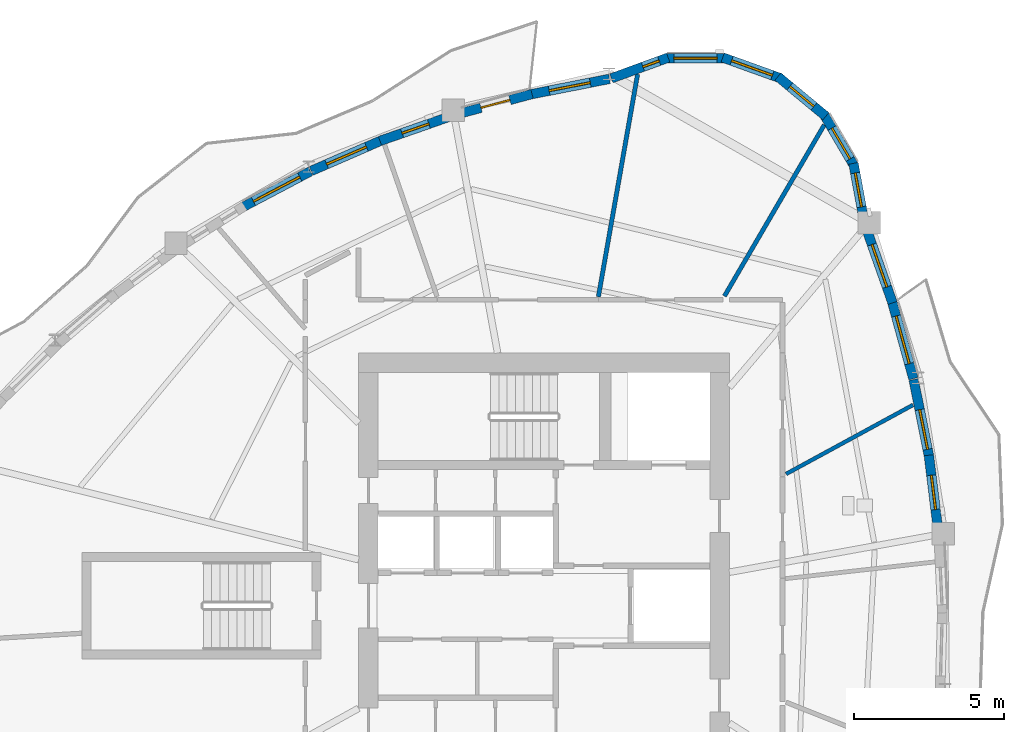
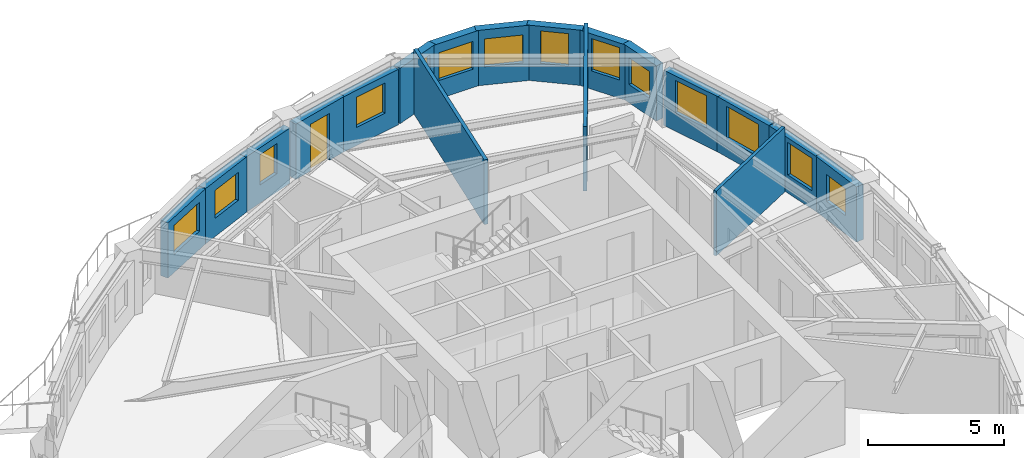
# One storey, part 7 of 12: 18 walls, 14 windows, 1 door, 15 openings.
"""IFC4 building model written with IfcOpenShell, lengths in metres."""

from ifc_helpers import new_model, si_unit, direction, frame, frame_2d, origin, place, context, subcontext, project, spatial, rectangle, extrude, source, transform, mapped, material, layer, layer_set, type_object, element, fill, save


model = new_model("IFC4")

# Units and contexts
model_context = context("Model", 3, precision=1e-05, world=origin(), true_north=direction((0.0, 1.0)))
body_context = subcontext(model_context, "Body", "Model", "MODEL_VIEW")
ifc_project = project(units=[si_unit("LENGTHUNIT", "METRE"), si_unit("AREAUNIT", "SQUARE_METRE"), si_unit("VOLUMEUNIT", "CUBIC_METRE"), si_unit("PLANEANGLEUNIT", "RADIAN"), si_unit("MASSUNIT", "GRAM", prefix="KILO")], contexts=[model_context])

# Site, building, storey
site_placement = place(None, origin())
site = spatial("IfcSite", under=ifc_project, at=site_placement, CompositionType="ELEMENT")
building_placement = place(site_placement, origin())
building = spatial("IfcBuilding", under=site, at=building_placement, Name="Qafzar Sky-Pleat Residences", CompositionType="ELEMENT")
storey_placement = place(building_placement, frame((0.0, 0.0, 187.39990234375)))
storey = spatial("IfcBuildingStorey", under=building, at=storey_placement, Name="L56", CompositionType="ELEMENT", Elevation=187.39990234375)

# Walls
ifc_material_1 = material(Name="Acoustic gypsum plasterboard partition", Category="gypsum")
ifc_layer_1 = layer(ifc_material_1, 0.14501953125)
ifc_layer_set_1 = layer_set([ifc_layer_1], Name="Acoustic gypsum plasterboard partition")
wall_type_1 = type_object("IfcWallType", Name="PART-UNIT-145", PredefinedType="PARTITIONING", material=ifc_layer_set_1)
wall_1_placement = place(storey_placement, frame((32.169677734375, 36.33056640625, 0.0), z_axis=(0.0, 0.0, 1.0), x_axis=(0.173479457804, 0.984837487975, 0.0)))
element("IfcWall", 1, at=wall_1_placement, inside=storey, type_object=wall_type_1, Name="L56 Partition Wall PART-L56-PW-013", PredefinedType="PARTITIONING", context=body_context, shape_type="SweptSolid", body=[
    extrude(rectangle(XDim=7.55859375, YDim=0.14501953125, at=frame_2d((3.779296875, 0.0))), origin(), (0.0, 0.0, 1.0), 2.900146484375),
])
wall_2_placement = place(storey_placement, frame((36.385986328125, 36.353515625, 0.0), z_axis=(0.0, 0.0, 1.0), x_axis=(0.503662452742, 0.863900534609, 0.0)))
element("IfcWall", 2, at=wall_2_placement, inside=storey, type_object=wall_type_1, Name="L56 Partition Wall PART-L56-PW-016", PredefinedType="PARTITIONING", context=body_context, shape_type="SweptSolid", body=[
    extrude(rectangle(XDim=6.623291015625, YDim=0.14501953125, at=frame_2d((3.3115234375, 0.0))), origin(), (0.0, 0.0, 1.0), 2.900146484375),
])
ifc_material_2 = material(Name="Moisture-resistant gypsum partition", Category="gypsum")
ifc_layer_2 = layer(ifc_material_2, 0.1298828125)
ifc_layer_set_2 = layer_set([ifc_layer_2], Name="Moisture-resistant gypsum partition")
wall_type_2 = type_object("IfcWallType", Name="PART-WET-130", PredefinedType="PARTITIONING", material=ifc_layer_set_2)
wall_3_placement = place(storey_placement, frame((38.447998046875, 30.4052734375, 0.0), z_axis=(0.0, 0.0, 1.0), x_axis=(0.878447426807, 0.477839008805, 0.0)))
element("IfcWall", 3, at=wall_3_placement, inside=storey, type_object=wall_type_2, Name="L56 Partition Wall PART-L56-PW-020", PredefinedType="PARTITIONING", context=body_context, shape_type="SweptSolid", body=[
    extrude(rectangle(XDim=4.830322265625, YDim=0.1298828125, at=frame_2d((2.4150390625, 0.0))), origin(), (0.0, 0.0, 1.0), 2.900146484375),
])

# Wall, opening, window
ifc_material_3 = material(Name="Precast concrete C40/50 with honed Riyadh limestone", Category="concrete")
ifc_layer_3 = layer(ifc_material_3, 0.320068359375)
ifc_layer_set_3 = layer_set([ifc_layer_3], Name="Precast concrete C40/50 with honed Riyadh limestone")
wall_type_3 = type_object("IfcWallType", Name="WALL-EXT-320", PredefinedType="SOLIDWALL", material=ifc_layer_set_3)
wall_4_placement = place(storey_placement, frame((43.5283203125, 28.554443359375, 0.0), z_axis=(0.0, 0.0, 1.0), x_axis=(-0.122939257513, 0.99241419728, 0.0)))
wall_4 = element("IfcWall", 4, at=wall_4_placement, inside=storey, type_object=wall_type_3, Name="L56 Limestone Facade Wall 29", PredefinedType="SOLIDWALL", context=body_context, shape_type="SweptSolid", body=[
    extrude(rectangle(XDim=2.496337890625, YDim=0.320068359375, at=frame_2d((1.248046875, 0.0))), origin(), (0.0, 0.0, 1.0), 2.47998046875),
])
opening_1_placement = place(wall_4_placement, frame((0.668212890625, 0.0, 0.820068359375)))
opening_1 = element("IfcOpeningElement", 5, at=opening_1_placement, cuts=wall_4, Name="Opening WN-16", PredefinedType="OPENING", context=body_context, shape_type="SweptSolid", body=[
    extrude(rectangle(XDim=1.14990234375, YDim=1.199951171875, at=frame_2d((0.574951171875, 0.60009765625))), frame((0.0, 0.169921875, 0.0), z_axis=(0.0, -1.0, 0.0), x_axis=(1.0, 0.0, 0.0)), (0.0, 0.0, 1.0), 0.340087890625),
])
ifc_material_4 = material(Name="Solar-control low-E glass in bronze aluminium frame", Category="glass")
window_type_1 = type_object("IfcWindowType", Name="WIN-16", PartitioningType="SINGLE_PANEL", PredefinedType="WINDOW", material=ifc_material_4)
shared_shape_1 = source(origin(), body_context, "Body", "SweptSolid", [
    extrude(rectangle(XDim=1.14990234375, YDim=1.199951171875, at=frame_2d((0.574951171875, 0.60009765625))), frame((0.0, 0.030029296875, 0.0), z_axis=(0.0, -1.0, 0.0), x_axis=(1.0, 0.0, 0.0)), (0.0, 0.0, 1.0), 0.06005859375),
])
window_1_placement = place(opening_1_placement, origin())
window_1 = element("IfcWindow", 6, at=window_1_placement, inside=storey, type_object=window_type_1, Name="L56 Punched Facade Window 29", OverallHeight=1.199951171875, OverallWidth=1.14990234375, PartitioningType="SINGLE_PANEL", PredefinedType="WINDOW", context=body_context, shape_type="MappedRepresentation", body=[
    mapped(shared_shape_1, transform((0.0, 0.0, 0.0), x_axis=(1.0, 0.0, 0.0), y_axis=(0.0, 1.0, 0.0), z_axis=(0.0, 0.0, 1.0), scale=1.0)),
])
fill(opening_1, window_1)

wall_5_placement = place(storey_placement, frame((43.235595703125, 30.945068359375, 0.0), z_axis=(0.0, 0.0, 1.0), x_axis=(-0.196221587905, 0.98055957924, 0.0)))
wall_5 = element("IfcWall", 7, at=wall_5_placement, inside=storey, type_object=wall_type_3, Name="L56 Limestone Facade Wall 30", PredefinedType="SOLIDWALL", context=body_context, shape_type="SweptSolid", body=[
    extrude(rectangle(XDim=2.67138671875, YDim=0.320068359375, at=frame_2d((1.335693359375, 0.0))), origin(), (0.0, 0.0, 1.0), 2.47998046875),
])
opening_2_placement = place(wall_5_placement, frame((0.291259765625, 0.0, 0.820068359375)))
opening_2 = element("IfcOpeningElement", 8, at=opening_2_placement, cuts=wall_5, Name="Opening WN-04", PredefinedType="OPENING", context=body_context, shape_type="SweptSolid", body=[
    extrude(rectangle(XDim=1.35009765625, YDim=1.449951171875, at=frame_2d((0.675048828125, 0.72509765625))), frame((0.0, 0.169921875, 0.0), z_axis=(0.0, -1.0, 0.0), x_axis=(1.0, 0.0, 0.0)), (0.0, 0.0, 1.0), 0.340087890625),
])
window_type_2 = type_object("IfcWindowType", Name="WIN-04", PartitioningType="SINGLE_PANEL", PredefinedType="WINDOW", material=ifc_material_4)
shared_shape_2 = source(origin(), body_context, "Body", "SweptSolid", [
    extrude(rectangle(XDim=1.35009765625, YDim=1.449951171875, at=frame_2d((0.675048828125, 0.72509765625))), frame((0.0, 0.030029296875, 0.0), z_axis=(0.0, -1.0, 0.0), x_axis=(1.0, 0.0, 0.0)), (0.0, 0.0, 1.0), 0.06005859375),
])
window_2_placement = place(opening_2_placement, origin())
window_2 = element("IfcWindow", 9, at=window_2_placement, inside=storey, type_object=window_type_2, Name="L56 Punched Facade Window 30", OverallHeight=1.449951171875, OverallWidth=1.35009765625, PartitioningType="SINGLE_PANEL", PredefinedType="WINDOW", context=body_context, shape_type="MappedRepresentation", body=[
    mapped(shared_shape_2, transform((0.0, 0.0, 0.0), x_axis=(1.0, 0.0, 0.0), y_axis=(0.0, 1.0, 0.0), z_axis=(0.0, 0.0, 1.0), scale=1.0)),
])
fill(opening_2, window_2)

wall_6_placement = place(storey_placement, frame((42.704833984375, 33.592041015625, 0.0), z_axis=(0.0, 0.0, 1.0), x_axis=(-0.266433209731, 0.963853383432, 0.0)))
wall_6 = element("IfcWall", 10, at=wall_6_placement, inside=storey, type_object=wall_type_3, Name="L56 Limestone Facade Wall 31", PredefinedType="SOLIDWALL", context=body_context, shape_type="SweptSolid", body=[
    extrude(rectangle(XDim=2.715087890625, YDim=0.320068359375, at=frame_2d((1.357421875, 0.0))), origin(), (0.0, 0.0, 1.0), 2.47998046875),
])
opening_3_placement = place(wall_6_placement, frame((0.5224609375, 0.0, 0.820068359375)))
opening_3 = element("IfcOpeningElement", 11, at=opening_3_placement, cuts=wall_6, Name="Opening WN-02", PredefinedType="OPENING", context=body_context, shape_type="SweptSolid", body=[
    extrude(rectangle(XDim=1.64990234375, YDim=1.449951171875, at=frame_2d((0.824951171875, 0.72509765625))), frame((0.0, 0.169921875, 0.0), z_axis=(0.0, -1.0, 0.0), x_axis=(1.0, 0.0, 0.0)), (0.0, 0.0, 1.0), 0.340087890625),
])
window_type_3 = type_object("IfcWindowType", Name="WIN-02", PartitioningType="DOUBLE_PANEL_VERTICAL", PredefinedType="WINDOW", material=ifc_material_4)
shared_shape_3 = source(origin(), body_context, "Body", "SweptSolid", [
    extrude(rectangle(XDim=1.64990234375, YDim=1.449951171875, at=frame_2d((0.824951171875, 0.72509765625))), frame((0.0, 0.030029296875, 0.0), z_axis=(0.0, -1.0, 0.0), x_axis=(1.0, 0.0, 0.0)), (0.0, 0.0, 1.0), 0.06005859375),
])
window_3_placement = place(opening_3_placement, origin())
window_3 = element("IfcWindow", 12, at=window_3_placement, inside=storey, type_object=window_type_3, Name="L56 Punched Facade Window 31", OverallHeight=1.449951171875, OverallWidth=1.64990234375, PartitioningType="SINGLE_PANEL", PredefinedType="WINDOW", context=body_context, shape_type="MappedRepresentation", body=[
    mapped(shared_shape_3, transform((0.0, 0.0, 0.0), x_axis=(1.0, 0.0, 0.0), y_axis=(0.0, 1.0, 0.0), z_axis=(0.0, 0.0, 1.0), scale=1.0)),
])
fill(opening_3, window_3)

wall_7_placement = place(storey_placement, frame((42.007568359375, 36.125732421875, 0.0), z_axis=(0.0, 0.0, 1.0), x_axis=(-0.332790959239, 0.94300062431, 0.0)))
wall_7 = element("IfcWall", 13, at=wall_7_placement, inside=storey, type_object=wall_type_3, Name="L56 Limestone Facade Wall 32", PredefinedType="SOLIDWALL", context=body_context, shape_type="SweptSolid", body=[
    extrude(rectangle(XDim=2.6279296875, YDim=0.320068359375, at=frame_2d((1.31396484375, 0.0))), origin(), (0.0, 0.0, 1.0), 2.47998046875),
])
opening_4_placement = place(wall_7_placement, frame((0.56884765625, 0.0, 0.820068359375)))
opening_4 = element("IfcOpeningElement", 14, at=opening_4_placement, cuts=wall_7, Name="Opening WN-03", PredefinedType="OPENING", context=body_context, shape_type="SweptSolid", body=[
    extrude(rectangle(XDim=1.5, YDim=1.449951171875, at=frame_2d((0.75, 0.72509765625))), frame((0.0, 0.169921875, 0.0), z_axis=(0.0, -1.0, 0.0), x_axis=(1.0, 0.0, 0.0)), (0.0, 0.0, 1.0), 0.340087890625),
])
window_type_4 = type_object("IfcWindowType", Name="WIN-03", PartitioningType="DOUBLE_PANEL_VERTICAL", PredefinedType="WINDOW", material=ifc_material_4)
shared_shape_4 = source(origin(), body_context, "Body", "SweptSolid", [
    extrude(rectangle(XDim=1.5, YDim=1.449951171875, at=frame_2d((0.75, 0.72509765625))), frame((0.0, 0.030029296875, 0.0), z_axis=(0.0, -1.0, 0.0), x_axis=(1.0, 0.0, 0.0)), (0.0, 0.0, 1.0), 0.06005859375),
])
window_4_placement = place(opening_4_placement, origin())
window_4 = element("IfcWindow", 15, at=window_4_placement, inside=storey, type_object=window_type_4, Name="L56 Punched Facade Window 32", OverallHeight=1.449951171875, OverallWidth=1.5, PartitioningType="SINGLE_PANEL", PredefinedType="WINDOW", context=body_context, shape_type="MappedRepresentation", body=[
    mapped(shared_shape_4, transform((0.0, 0.0, 0.0), x_axis=(1.0, 0.0, 0.0), y_axis=(0.0, 1.0, 0.0), z_axis=(0.0, 0.0, 1.0), scale=1.0)),
])
fill(opening_4, window_4)

wall_8_placement = place(storey_placement, frame((41.041748046875, 38.945556640625, 0.0), z_axis=(0.0, 0.0, 1.0), x_axis=(-0.182373191939, 0.983229382627, 0.0)))
wall_8 = element("IfcWall", 16, at=wall_8_placement, inside=storey, type_object=wall_type_3, Name="L56 Limestone Facade Wall 33", PredefinedType="SOLIDWALL", context=body_context, shape_type="SweptSolid", body=[
    extrude(rectangle(XDim=1.878173828125, YDim=0.320068359375, at=frame_2d((0.93896484375, 0.0))), origin(), (0.0, 0.0, 1.0), 2.47998046875),
])
opening_5_placement = place(wall_8_placement, frame((0.39892578125, 0.0, 0.820068359375)))
opening_5 = element("IfcOpeningElement", 17, at=opening_5_placement, cuts=wall_8, Name="Opening WN-16", PredefinedType="OPENING", context=body_context, shape_type="SweptSolid", body=[
    extrude(rectangle(XDim=1.14990234375, YDim=1.199951171875, at=frame_2d((0.574951171875, 0.60009765625))), frame((0.0, 0.169921875, 0.0), z_axis=(0.0, -1.0, 0.0), x_axis=(1.0, 0.0, 0.0)), (0.0, 0.0, 1.0), 0.340087890625),
])
window_5_placement = place(opening_5_placement, origin())
window_5 = element("IfcWindow", 18, at=window_5_placement, inside=storey, type_object=window_type_1, Name="L56 Punched Facade Window 33", OverallHeight=1.199951171875, OverallWidth=1.14990234375, PartitioningType="SINGLE_PANEL", PredefinedType="WINDOW", context=body_context, shape_type="MappedRepresentation", body=[
    mapped(shared_shape_1, transform((0.0, 0.0, 0.0), x_axis=(1.0, 0.0, 0.0), y_axis=(0.0, 1.0, 0.0), z_axis=(0.0, 0.0, 1.0), scale=1.0)),
])
fill(opening_5, window_5)

wall_9_placement = place(storey_placement, frame((40.74462890625, 40.670166015625, 0.0), z_axis=(0.0, 0.0, 1.0), x_axis=(-0.506312473438, 0.86235009088, 0.0)))
wall_9 = element("IfcWall", 19, at=wall_9_placement, inside=storey, type_object=wall_type_3, Name="L56 Limestone Facade Wall 34", PredefinedType="SOLIDWALL", context=body_context, shape_type="SweptSolid", body=[
    extrude(rectangle(XDim=2.0810546875, YDim=0.320068359375, at=frame_2d((1.04052734375, 0.0))), origin(), (0.0, 0.0, 1.0), 2.47998046875),
])
opening_6_placement = place(wall_9_placement, frame((0.310546875, 0.0, 0.820068359375)))
opening_6 = element("IfcOpeningElement", 20, at=opening_6_placement, cuts=wall_9, Name="Opening WN-05", PredefinedType="OPENING", context=body_context, shape_type="SweptSolid", body=[
    extrude(rectangle(XDim=1.199951171875, YDim=1.449951171875, at=frame_2d((0.60009765625, 0.72509765625))), frame((0.0, 0.169921875, 0.0), z_axis=(0.0, -1.0, 0.0), x_axis=(1.0, 0.0, 0.0)), (0.0, 0.0, 1.0), 0.340087890625),
])
window_type_5 = type_object("IfcWindowType", Name="WIN-05", PartitioningType="SINGLE_PANEL", PredefinedType="WINDOW", material=ifc_material_4)
shared_shape_5 = source(origin(), body_context, "Body", "SweptSolid", [
    extrude(rectangle(XDim=1.199951171875, YDim=1.449951171875, at=frame_2d((0.60009765625, 0.72509765625))), frame((0.0, 0.030029296875, 0.0), z_axis=(0.0, -1.0, 0.0), x_axis=(1.0, 0.0, 0.0)), (0.0, 0.0, 1.0), 0.06005859375),
])
window_6_placement = place(opening_6_placement, origin())
window_6 = element("IfcWindow", 21, at=window_6_placement, inside=storey, type_object=window_type_5, Name="L56 Punched Facade Window 34", OverallHeight=1.449951171875, OverallWidth=1.199951171875, PartitioningType="SINGLE_PANEL", PredefinedType="WINDOW", context=body_context, shape_type="MappedRepresentation", body=[
    mapped(shared_shape_5, transform((0.0, 0.0, 0.0), x_axis=(1.0, 0.0, 0.0), y_axis=(0.0, 1.0, 0.0), z_axis=(0.0, 0.0, 1.0), scale=1.0)),
])
fill(opening_6, window_6)

wall_10_placement = place(storey_placement, frame((39.775390625, 42.36572265625, 0.0), z_axis=(0.0, 0.0, 1.0), x_axis=(-0.769690471148, 0.63841724493, 0.0)))
wall_10 = element("IfcWall", 22, at=wall_10_placement, inside=storey, type_object=wall_type_3, Name="L56 Limestone Facade Wall 35", PredefinedType="SOLIDWALL", context=body_context, shape_type="SweptSolid", body=[
    extrude(rectangle(XDim=2.0810546875, YDim=0.320068359375, at=frame_2d((1.04052734375, 0.0))), origin(), (0.0, 0.0, 1.0), 2.47998046875),
])
opening_7_placement = place(wall_10_placement, frame((0.515625, 0.0, 0.820068359375)))
opening_7 = element("IfcOpeningElement", 23, at=opening_7_placement, cuts=wall_10, Name="Opening WN-06", PredefinedType="OPENING", context=body_context, shape_type="SweptSolid", body=[
    extrude(rectangle(XDim=1.050048828125, YDim=1.449951171875, at=frame_2d((0.52490234375, 0.72509765625))), frame((0.0, 0.169921875, 0.0), z_axis=(0.0, -1.0, 0.0), x_axis=(1.0, 0.0, 0.0)), (0.0, 0.0, 1.0), 0.340087890625),
])
window_type_6 = type_object("IfcWindowType", Name="WIN-06", PartitioningType="SINGLE_PANEL", PredefinedType="WINDOW", material=ifc_material_4)
shared_shape_6 = source(origin(), body_context, "Body", "SweptSolid", [
    extrude(rectangle(XDim=1.050048828125, YDim=1.449951171875, at=frame_2d((0.52490234375, 0.72509765625))), frame((0.0, 0.030029296875, 0.0), z_axis=(0.0, -1.0, 0.0), x_axis=(1.0, 0.0, 0.0)), (0.0, 0.0, 1.0), 0.06005859375),
])
window_7_placement = place(opening_7_placement, origin())
window_7 = element("IfcWindow", 24, at=window_7_placement, inside=storey, type_object=window_type_6, Name="L56 Punched Facade Window 35", OverallHeight=1.449951171875, OverallWidth=1.050048828125, PartitioningType="SINGLE_PANEL", PredefinedType="WINDOW", context=body_context, shape_type="MappedRepresentation", body=[
    mapped(shared_shape_6, transform((0.0, 0.0, 0.0), x_axis=(1.0, 0.0, 0.0), y_axis=(0.0, 1.0, 0.0), z_axis=(0.0, 0.0, 1.0), scale=1.0)),
])
fill(opening_7, window_7)

wall_11_placement = place(storey_placement, frame((38.28662109375, 43.6298828125, 0.0), z_axis=(0.0, 0.0, 1.0), x_axis=(-0.941108549294, 0.338104567323, 0.0)))
wall_11 = element("IfcWall", 25, at=wall_11_placement, inside=storey, type_object=wall_type_3, Name="L56 Limestone Facade Wall 36", PredefinedType="SOLIDWALL", context=body_context, shape_type="SweptSolid", body=[
    extrude(rectangle(XDim=2.0810546875, YDim=0.320068359375, at=frame_2d((1.04052734375, 0.0))), origin(), (0.0, 0.0, 1.0), 2.47998046875),
])
opening_8_placement = place(wall_11_placement, frame((0.3154296875, 0.0, 0.820068359375)))
opening_8 = element("IfcOpeningElement", 26, at=opening_8_placement, cuts=wall_11, Name="Opening WN-15", PredefinedType="OPENING", context=body_context, shape_type="SweptSolid", body=[
    extrude(rectangle(XDim=1.449951171875, YDim=1.25, at=frame_2d((0.72509765625, 0.625))), frame((0.0, 0.169921875, 0.0), z_axis=(0.0, -1.0, 0.0), x_axis=(1.0, 0.0, 0.0)), (0.0, 0.0, 1.0), 0.340087890625),
])
window_type_7 = type_object("IfcWindowType", Name="WIN-15", PartitioningType="SINGLE_PANEL", PredefinedType="WINDOW", material=ifc_material_4)
shared_shape_7 = source(origin(), body_context, "Body", "SweptSolid", [
    extrude(rectangle(XDim=1.449951171875, YDim=1.25, at=frame_2d((0.72509765625, 0.625))), frame((0.0, 0.030029296875, 0.0), z_axis=(0.0, -1.0, 0.0), x_axis=(1.0, 0.0, 0.0)), (0.0, 0.0, 1.0), 0.06005859375),
])
window_8_placement = place(opening_8_placement, origin())
window_8 = element("IfcWindow", 27, at=window_8_placement, inside=storey, type_object=window_type_7, Name="L56 Punched Facade Window 36", OverallHeight=1.25, OverallWidth=1.449951171875, PartitioningType="SINGLE_PANEL", PredefinedType="WINDOW", context=body_context, shape_type="MappedRepresentation", body=[
    mapped(shared_shape_7, transform((0.0, 0.0, 0.0), x_axis=(1.0, 0.0, 0.0), y_axis=(0.0, 1.0, 0.0), z_axis=(0.0, 0.0, 1.0), scale=1.0)),
])
fill(opening_8, window_8)

wall_12_placement = place(storey_placement, frame((36.456298828125, 44.311279296875, 0.0), z_axis=(0.0, 0.0, 1.0), x_axis=(-0.999997246765, -0.002346585115, 0.0)))
wall_12 = element("IfcWall", 28, at=wall_12_placement, inside=storey, type_object=wall_type_3, Name="L56 Limestone Facade Wall 37", PredefinedType="SOLIDWALL", context=body_context, shape_type="SweptSolid", body=[
    extrude(rectangle(XDim=2.080810546875, YDim=0.320068359375, at=frame_2d((1.04052734375, 0.0))), origin(), (0.0, 0.0, 1.0), 2.47998046875),
])
opening_9_placement = place(wall_12_placement, frame((0.3154296875, 0.0, 0.820068359375)))
opening_9 = element("IfcOpeningElement", 29, at=opening_9_placement, cuts=wall_12, Name="Opening WN-15", PredefinedType="OPENING", context=body_context, shape_type="SweptSolid", body=[
    extrude(rectangle(XDim=1.449951171875, YDim=1.25, at=frame_2d((0.72509765625, 0.625))), frame((0.0, 0.169921875, 0.0), z_axis=(0.0, -1.0, 0.0), x_axis=(1.0, 0.0, 0.0)), (0.0, 0.0, 1.0), 0.340087890625),
])
window_9_placement = place(opening_9_placement, origin())
window_9 = element("IfcWindow", 30, at=window_9_placement, inside=storey, type_object=window_type_7, Name="L56 Punched Facade Window 37", OverallHeight=1.25, OverallWidth=1.449951171875, PartitioningType="SINGLE_PANEL", PredefinedType="WINDOW", context=body_context, shape_type="MappedRepresentation", body=[
    mapped(shared_shape_7, transform((0.0, 0.0, 0.0), x_axis=(1.0, 0.0, 0.0), y_axis=(0.0, 1.0, 0.0), z_axis=(0.0, 0.0, 1.0), scale=1.0)),
])
fill(opening_9, window_9)

wall_13_placement = place(storey_placement, frame((34.50341796875, 44.3291015625, 0.0), z_axis=(0.0, 0.0, 1.0), x_axis=(-0.939387553708, -0.342857148007, 0.0)))
wall_13 = element("IfcWall", 31, at=wall_13_placement, inside=storey, type_object=wall_type_3, Name="L56 Limestone Facade Wall 38", PredefinedType="SOLIDWALL", context=body_context, shape_type="SweptSolid", body=[
    extrude(rectangle(XDim=2.02294921875, YDim=0.320068359375, at=frame_2d((1.011474609375, 0.0))), origin(), (0.0, 0.0, 1.0), 2.47998046875),
])
opening_10_placement = place(wall_13_placement, frame((0.3193359375, 0.0, 0.820068359375)))
opening_10 = element("IfcOpeningElement", 32, at=opening_10_placement, cuts=wall_13, Name="Opening WN-17", PredefinedType="OPENING", context=body_context, shape_type="SweptSolid", body=[
    extrude(rectangle(XDim=0.580078125, YDim=1.35009765625, at=frame_2d((0.2900390625, 0.675048828125))), frame((0.0, 0.169921875, 0.0), z_axis=(0.0, -1.0, 0.0), x_axis=(1.0, 0.0, 0.0)), (0.0, 0.0, 1.0), 0.340087890625),
])
window_type_8 = type_object("IfcWindowType", Name="WIN-17", PartitioningType="SINGLE_PANEL", PredefinedType="WINDOW", material=ifc_material_4)
shared_shape_8 = source(origin(), body_context, "Body", "SweptSolid", [
    extrude(rectangle(XDim=0.580078125, YDim=1.35009765625, at=frame_2d((0.2900390625, 0.675048828125))), frame((0.0, 0.030029296875, 0.0), z_axis=(0.0, -1.0, 0.0), x_axis=(1.0, 0.0, 0.0)), (0.0, 0.0, 1.0), 0.06005859375),
])
window_10_placement = place(opening_10_placement, origin())
window_10 = element("IfcWindow", 33, at=window_10_placement, inside=storey, type_object=window_type_8, Name="L56 Punched Facade Window 38", OverallHeight=1.35009765625, OverallWidth=0.580078125, PartitioningType="SINGLE_PANEL", PredefinedType="WINDOW", context=body_context, shape_type="MappedRepresentation", body=[
    mapped(shared_shape_8, transform((0.0, 0.0, 0.0), x_axis=(1.0, 0.0, 0.0), y_axis=(0.0, 1.0, 0.0), z_axis=(0.0, 0.0, 1.0), scale=1.0)),
])
fill(opening_10, window_10)

wall_14_placement = place(storey_placement, frame((32.54052734375, 43.6181640625, 0.0), z_axis=(0.0, 0.0, 1.0), x_axis=(-0.981233088351, -0.192825377804, 0.0)))
wall_14 = element("IfcWall", 34, at=wall_14_placement, inside=storey, type_object=wall_type_3, Name="L56 Limestone Facade Wall 39", PredefinedType="SOLIDWALL", context=body_context, shape_type="SweptSolid", body=[
    extrude(rectangle(XDim=2.72607421875, YDim=0.320068359375, at=frame_2d((1.363037109375, 0.0))), origin(), (0.0, 0.0, 1.0), 2.47998046875),
])
opening_11_placement = place(wall_14_placement, frame((0.653076171875, 0.0, 0.820068359375)))
opening_11 = element("IfcOpeningElement", 35, at=opening_11_placement, cuts=wall_14, Name="Opening WN-10", PredefinedType="OPENING", context=body_context, shape_type="SweptSolid", body=[
    extrude(rectangle(XDim=1.39990234375, YDim=1.35009765625, at=frame_2d((0.699951171875, 0.675048828125))), frame((0.0, 0.169921875, 0.0), z_axis=(0.0, -1.0, 0.0), x_axis=(1.0, 0.0, 0.0)), (0.0, 0.0, 1.0), 0.340087890625),
])
window_type_9 = type_object("IfcWindowType", Name="WIN-10", PartitioningType="SINGLE_PANEL", PredefinedType="WINDOW", material=ifc_material_4)
shared_shape_9 = source(origin(), body_context, "Body", "SweptSolid", [
    extrude(rectangle(XDim=1.39990234375, YDim=1.35009765625, at=frame_2d((0.699951171875, 0.675048828125))), frame((0.0, 0.030029296875, 0.0), z_axis=(0.0, -1.0, 0.0), x_axis=(1.0, 0.0, 0.0)), (0.0, 0.0, 1.0), 0.06005859375),
])
window_11_placement = place(opening_11_placement, origin())
window_11 = element("IfcWindow", 36, at=window_11_placement, inside=storey, type_object=window_type_9, Name="L56 Punched Facade Window 39", OverallHeight=1.35009765625, OverallWidth=1.39990234375, PartitioningType="SINGLE_PANEL", PredefinedType="WINDOW", context=body_context, shape_type="MappedRepresentation", body=[
    mapped(shared_shape_9, transform((0.0, 0.0, 0.0), x_axis=(1.0, 0.0, 0.0), y_axis=(0.0, 1.0, 0.0), z_axis=(0.0, 0.0, 1.0), scale=1.0)),
])
fill(opening_11, window_11)

# Wall, opening, door
wall_15_placement = place(storey_placement, frame((29.950439453125, 43.1123046875, 0.0), z_axis=(0.0, 0.0, 1.0), x_axis=(-0.96543906005, -0.260628895806, 0.0)))
wall_15 = element("IfcWall", 37, at=wall_15_placement, inside=storey, type_object=wall_type_3, Name="L56 Limestone Facade Wall 40", PredefinedType="SOLIDWALL", context=body_context, shape_type="SweptSolid", body=[
    extrude(rectangle(XDim=2.5244140625, YDim=0.320068359375, at=frame_2d((1.26220703125, 0.0))), origin(), (0.0, 0.0, 1.0), 2.47998046875),
])
opening_12_placement = place(wall_15_placement, frame((0.767333984375, 0.0, 0.0)))
opening_12 = element("IfcOpeningElement", 38, at=opening_12_placement, cuts=wall_15, Name="Opening ED-05", PredefinedType="OPENING", context=body_context, shape_type="SweptSolid", body=[
    extrude(rectangle(XDim=1.0, YDim=2.10009765625, at=frame_2d((0.5, 1.050048828125))), frame((0.0, 0.169921875, 0.0), z_axis=(0.0, -1.0, 0.0), x_axis=(1.0, 0.0, 0.0)), (0.0, 0.0, 1.0), 0.340087890625),
])
ifc_material_5 = material(Name="Glazed bronze aluminium door", Category="aluminium")
door_type = type_object("IfcDoorType", Name="DR-BAL-1000", OperationType="NOTDEFINED", PredefinedType="DOOR", material=ifc_material_5)
shared_shape_10 = source(origin(), body_context, "Body", "SweptSolid", [
    extrude(rectangle(XDim=1.0, YDim=2.10009765625, at=frame_2d((0.5, 1.050048828125))), frame((0.0, 0.02490234375, 0.0), z_axis=(0.0, -1.0, 0.0), x_axis=(1.0, 0.0, 0.0)), (0.0, 0.0, 1.0), 0.050048828125),
])
door_placement = place(opening_12_placement, origin())
door = element("IfcDoor", 39, at=door_placement, inside=storey, type_object=door_type, Name="L56 Glazed Balcony Door 2", OperationType="SINGLE_SWING_LEFT", OverallHeight=2.10009765625, OverallWidth=1.0, PredefinedType="DOOR", context=body_context, shape_type="MappedRepresentation", body=[
    mapped(shared_shape_10, transform((0.0, 0.0, 0.0), x_axis=(1.0, 0.0, 0.0), y_axis=(0.0, 1.0, 0.0), z_axis=(0.0, 0.0, 1.0), scale=1.0)),
])
fill(opening_12, door)

# Wall, opening, window
wall_16_placement = place(storey_placement, frame((27.208984375, 42.360595703125, 0.0), z_axis=(0.0, 0.0, 1.0), x_axis=(-0.944111191945, -0.329627148829, 0.0)))
wall_16 = element("IfcWall", 40, at=wall_16_placement, inside=storey, type_object=wall_type_3, Name="L56 Limestone Facade Wall 41", PredefinedType="SOLIDWALL", context=body_context, shape_type="SweptSolid", body=[
    extrude(rectangle(XDim=2.481201171875, YDim=0.320068359375, at=frame_2d((1.24072265625, 0.0))), origin(), (0.0, 0.0, 1.0), 2.47998046875),
])
opening_13_placement = place(wall_16_placement, frame((0.74951171875, 0.0, 0.820068359375)))
opening_13 = element("IfcOpeningElement", 41, at=opening_13_placement, cuts=wall_16, Name="Opening WN-12", PredefinedType="OPENING", context=body_context, shape_type="SweptSolid", body=[
    extrude(rectangle(XDim=0.949951171875, YDim=1.35009765625, at=frame_2d((0.47509765625, 0.675048828125))), frame((0.0, 0.169921875, 0.0), z_axis=(0.0, -1.0, 0.0), x_axis=(1.0, 0.0, 0.0)), (0.0, 0.0, 1.0), 0.340087890625),
])
window_type_10 = type_object("IfcWindowType", Name="WIN-12", PartitioningType="SINGLE_PANEL", PredefinedType="WINDOW", material=ifc_material_4)
shared_shape_11 = source(origin(), body_context, "Body", "SweptSolid", [
    extrude(rectangle(XDim=0.949951171875, YDim=1.35009765625, at=frame_2d((0.47509765625, 0.675048828125))), frame((0.0, 0.030029296875, 0.0), z_axis=(0.0, -1.0, 0.0), x_axis=(1.0, 0.0, 0.0)), (0.0, 0.0, 1.0), 0.06005859375),
])
window_12_placement = place(opening_13_placement, origin())
window_12 = element("IfcWindow", 42, at=window_12_placement, inside=storey, type_object=window_type_10, Name="L56 Punched Facade Window 41", OverallHeight=1.35009765625, OverallWidth=0.949951171875, PartitioningType="SINGLE_PANEL", PredefinedType="WINDOW", context=body_context, shape_type="MappedRepresentation", body=[
    mapped(shared_shape_11, transform((0.0, 0.0, 0.0), x_axis=(1.0, 0.0, 0.0), y_axis=(0.0, 1.0, 0.0), z_axis=(0.0, 0.0, 1.0), scale=1.0)),
])
fill(opening_13, window_12)

wall_17_placement = place(storey_placement, frame((24.9482421875, 41.57470703125, 0.0), z_axis=(0.0, 0.0, 1.0), x_axis=(-0.917095460669, -0.398667676168, 0.0)))
wall_17 = element("IfcWall", 43, at=wall_17_placement, inside=storey, type_object=wall_type_3, Name="L56 Limestone Facade Wall 42", PredefinedType="SOLIDWALL", context=body_context, shape_type="SweptSolid", body=[
    extrude(rectangle(XDim=2.59716796875, YDim=0.320068359375, at=frame_2d((1.298583984375, 0.0))), origin(), (0.0, 0.0, 1.0), 2.47998046875),
])
opening_14_placement = place(wall_17_placement, frame((0.58349609375, 0.0, 0.820068359375)))
opening_14 = element("IfcOpeningElement", 44, at=opening_14_placement, cuts=wall_17, Name="Opening WN-15", PredefinedType="OPENING", context=body_context, shape_type="SweptSolid", body=[
    extrude(rectangle(XDim=1.449951171875, YDim=1.25, at=frame_2d((0.72509765625, 0.625))), frame((0.0, 0.169921875, 0.0), z_axis=(0.0, -1.0, 0.0), x_axis=(1.0, 0.0, 0.0)), (0.0, 0.0, 1.0), 0.340087890625),
])
window_13_placement = place(opening_14_placement, origin())
window_13 = element("IfcWindow", 45, at=window_13_placement, inside=storey, type_object=window_type_7, Name="L56 Punched Facade Window 42", OverallHeight=1.25, OverallWidth=1.449951171875, PartitioningType="SINGLE_PANEL", PredefinedType="WINDOW", context=body_context, shape_type="MappedRepresentation", body=[
    mapped(shared_shape_7, transform((0.0, 0.0, 0.0), x_axis=(1.0, 0.0, 0.0), y_axis=(0.0, 1.0, 0.0), z_axis=(0.0, 0.0, 1.0), scale=1.0)),
])
fill(opening_14, window_13)

wall_18_placement = place(storey_placement, frame((22.54150390625, 40.52734375, 0.0), z_axis=(0.0, 0.0, 1.0), x_axis=(-0.884378248125, -0.466770944087, 0.0)))
wall_18 = element("IfcWall", 46, at=wall_18_placement, inside=storey, type_object=wall_type_3, Name="L56 Limestone Facade Wall 43", PredefinedType="SOLIDWALL", context=body_context, shape_type="SweptSolid", body=[
    extrude(rectangle(XDim=2.582275390625, YDim=0.320068359375, at=frame_2d((1.291015625, 0.0))), origin(), (0.0, 0.0, 1.0), 2.47998046875),
])
opening_15_placement = place(wall_18_placement, frame((0.406005859375, 0.0, 0.820068359375)))
opening_15 = element("IfcOpeningElement", 47, at=opening_15_placement, cuts=wall_18, Name="Opening WN-14", PredefinedType="OPENING", context=body_context, shape_type="SweptSolid", body=[
    extrude(rectangle(XDim=1.75, YDim=1.300048828125, at=frame_2d((0.875, 0.64990234375))), frame((0.0, 0.169921875, 0.0), z_axis=(0.0, -1.0, 0.0), x_axis=(1.0, 0.0, 0.0)), (0.0, 0.0, 1.0), 0.340087890625),
])
window_type_11 = type_object("IfcWindowType", Name="WIN-14", PartitioningType="DOUBLE_PANEL_VERTICAL", PredefinedType="WINDOW", material=ifc_material_4)
shared_shape_12 = source(origin(), body_context, "Body", "SweptSolid", [
    extrude(rectangle(XDim=1.75, YDim=1.300048828125, at=frame_2d((0.875, 0.64990234375))), frame((0.0, 0.030029296875, 0.0), z_axis=(0.0, -1.0, 0.0), x_axis=(1.0, 0.0, 0.0)), (0.0, 0.0, 1.0), 0.06005859375),
])
window_14_placement = place(opening_15_placement, origin())
window_14 = element("IfcWindow", 48, at=window_14_placement, inside=storey, type_object=window_type_11, Name="L56 Punched Facade Window 43", OverallHeight=1.300048828125, OverallWidth=1.75, PartitioningType="SINGLE_PANEL", PredefinedType="WINDOW", context=body_context, shape_type="MappedRepresentation", body=[
    mapped(shared_shape_12, transform((0.0, 0.0, 0.0), x_axis=(1.0, 0.0, 0.0), y_axis=(0.0, 1.0, 0.0), z_axis=(0.0, 0.0, 1.0), scale=1.0)),
])
fill(opening_15, window_14)

save(model, "model.ifc")
